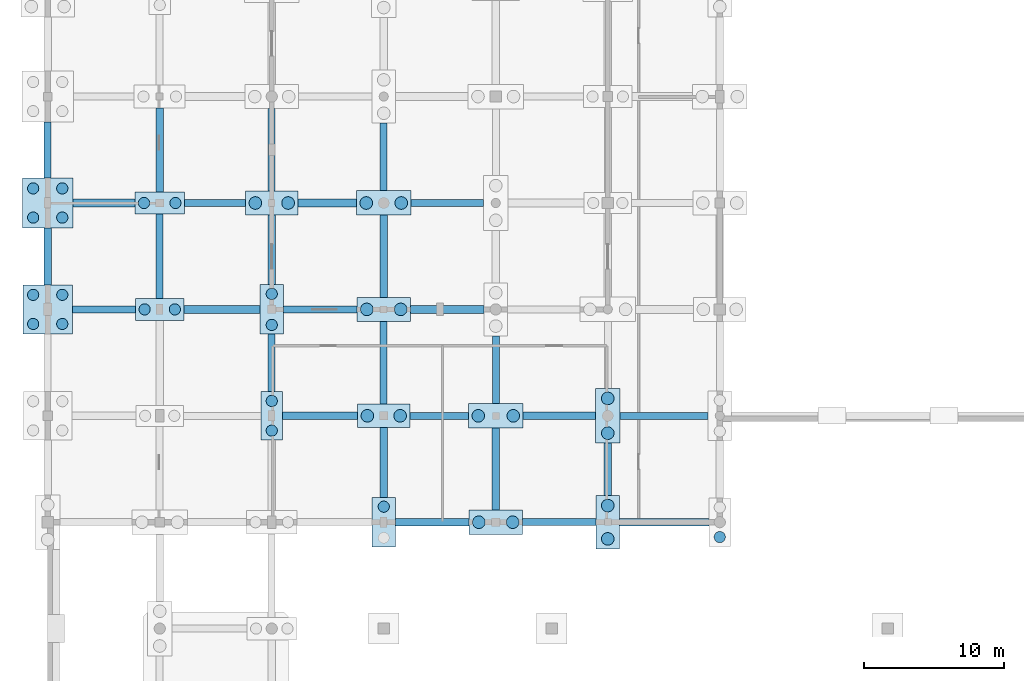
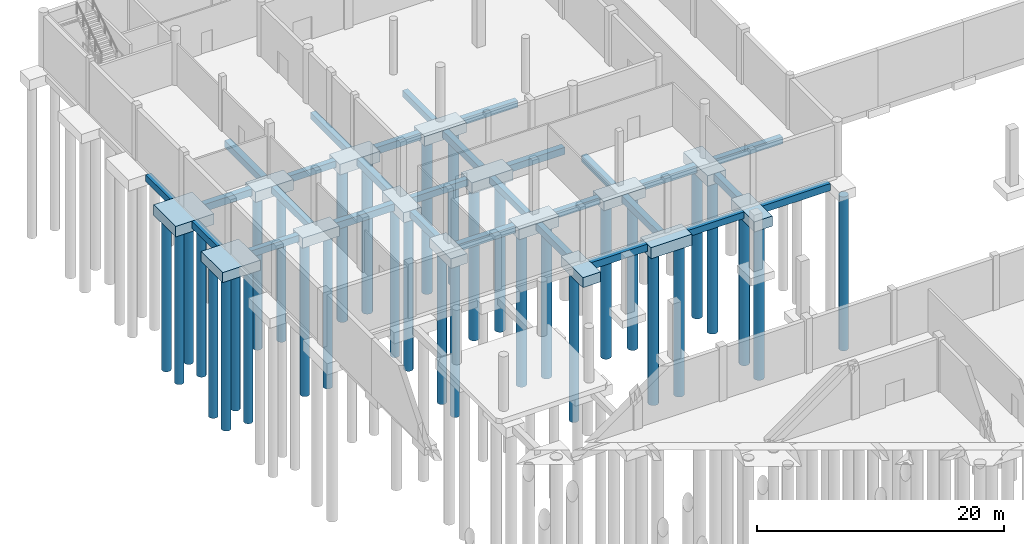
# One storey, part 8 of 44: 44 footings, 34 piles.
"""IFC4 building model written with IfcOpenShell, lengths in metres."""

from ifc_helpers import new_model, si_unit, direction, frame, origin, origin_2d, place, context, subcontext, project, spatial, polyline, circle, outline, extrude, material, material_profile, profile_set, type_object, element, save


model = new_model("IFC4")

# Units and contexts
model_context = context("Model", 3, precision=1e-05, world=origin(), true_north=direction((0.0, 1.0)))
body_context = subcontext(model_context, "Body", "Model", "MODEL_VIEW")
ifc_project = project(units=[si_unit("LENGTHUNIT", "METRE"), si_unit("AREAUNIT", "SQUARE_METRE"), si_unit("VOLUMEUNIT", "CUBIC_METRE"), si_unit("PLANEANGLEUNIT", "RADIAN"), si_unit("MASSUNIT", "GRAM", prefix="KILO")], contexts=[model_context])

# Site, building, storey
site_placement = place(None, origin())
site = spatial("IfcSite", under=ifc_project, at=site_placement, CompositionType="ELEMENT")
building_placement = place(site_placement, origin())
building = spatial("IfcBuilding", under=site, at=building_placement, Name="Khelvaren Railside Concert Hall", CompositionType="ELEMENT")
storey_placement = place(building_placement, frame((0.0, 0.0, -5.39990234375)))
storey = spatial("IfcBuildingStorey", under=building, at=storey_placement, Name="B1", CompositionType="ELEMENT", Elevation=-5.39990234375)

# Piles
ifc_material = material(Name="Concrete C35/45", Category="concrete")
ifc_material_profile_1 = material_profile(ifc_material, circle(Radius=0.449951171875, at=origin_2d()), Name="BP D900")
ifc_profile_set_1 = profile_set([ifc_material_profile_1], Name="Concrete C35/45")
pile_type_1 = type_object("IfcPileType", Name="BP51", PredefinedType="BORED", material=ifc_profile_set_1)
for number, where, z_axis, x_axis, name in (
    (1, (14.830078125, 91.199951171875, -1.4501953125), (0.0, 0.0, -1.0), (1.0, 0.0, 0.0), "Bored Pile BP51 PC-V4-042-1"),
    (2, (17.169921875, 91.199951171875, -1.4501953125), (0.0, 0.0, -1.0), (1.0, 0.0, 0.0), "Bored Pile BP51 PC-V4-042-2"),
    (3, (22.830078125, 76.0, -1.4501953125), (0.0, 0.0, -1.0), (1.0, 0.0, 0.0), "Bored Pile BP51 PC-V4-054-1"),
    (4, (25.169921875, 76.0, -1.4501953125), (0.0, 0.0, -1.0), (1.0, 0.0, 0.0), "Bored Pile BP51 PC-V4-054-2"),
):
    element("IfcPile", number, at=place(storey_placement, frame(where, z_axis=z_axis, x_axis=x_axis)), inside=storey, type_object=pile_type_1, Name=name, PredefinedType="BORED", context=body_context, shape_type="SweptSolid", body=[
        extrude(circle(Radius=0.449951171875, at=origin_2d()), origin(), (0.0, 0.0, 1.0), 15.14990234375),
    ])
for number, where, z_axis, x_axis, name in (
    (5, (22.7900390625, 83.60009765625, -1.5), (0.0, 0.0, -1.0), (1.0, 0.0, 0.0), "Bored Pile BP51 PC-V4-055-1"),
    (6, (25.2099609375, 83.60009765625, -1.5), (0.0, 0.0, -1.0), (1.0, 0.0, 0.0), "Bored Pile BP51 PC-V4-055-2"),
):
    element("IfcPile", number, at=place(storey_placement, frame(where, z_axis=z_axis, x_axis=x_axis)), inside=storey, type_object=pile_type_1, Name=name, PredefinedType="BORED", context=body_context, shape_type="SweptSolid", body=[
        extrude(circle(Radius=0.449951171875, at=origin_2d()), origin(), (0.0, 0.0, 1.0), 15.10009765625),
    ])
for number, where, z_axis, x_axis, name in (
    (7, (22.75, 91.199951171875, -1.35009765625), (0.0, 0.0, -1.0), (1.0, 0.0, 0.0), "Bored Pile BP51 PC-V4-056-1"),
    (8, (25.25, 91.199951171875, -1.35009765625), (0.0, 0.0, -1.0), (1.0, 0.0, 0.0), "Bored Pile BP51 PC-V4-056-2"),
):
    element("IfcPile", number, at=place(storey_placement, frame(where, z_axis=z_axis, x_axis=x_axis)), inside=storey, type_object=pile_type_1, Name=name, PredefinedType="BORED", context=body_context, shape_type="SweptSolid", body=[
        extrude(circle(Radius=0.449951171875, at=origin_2d()), origin(), (0.0, 0.0, 1.0), 15.25),
    ])
for number, where, z_axis, x_axis, name in (
    (9, (30.7900390625, 68.39990234375, -1.5), (0.0, 0.0, -1.0), (1.0, 0.0, 0.0), "Bored Pile BP51 PC-V4-067-1"),
    (10, (33.2099609375, 68.39990234375, -1.5), (0.0, 0.0, -1.0), (1.0, 0.0, 0.0), "Bored Pile BP51 PC-V4-067-2"),
):
    element("IfcPile", number, at=place(storey_placement, frame(where, z_axis=z_axis, x_axis=x_axis)), inside=storey, type_object=pile_type_1, Name=name, PredefinedType="BORED", context=body_context, shape_type="SweptSolid", body=[
        extrude(circle(Radius=0.449951171875, at=origin_2d()), origin(), (0.0, 0.0, 1.0), 15.10009765625),
    ])
for number, where, z_axis, x_axis, name in (
    (11, (30.75, 76.0, -1.35009765625), (0.0, 0.0, -1.0), (1.0, 0.0, 0.0), "Bored Pile BP51 PC-V4-068-1"),
    (12, (33.25, 76.0, -1.35009765625), (0.0, 0.0, -1.0), (1.0, 0.0, 0.0), "Bored Pile BP51 PC-V4-068-2"),
):
    element("IfcPile", number, at=place(storey_placement, frame(where, z_axis=z_axis, x_axis=x_axis)), inside=storey, type_object=pile_type_1, Name=name, PredefinedType="BORED", context=body_context, shape_type="SweptSolid", body=[
        extrude(circle(Radius=0.449951171875, at=origin_2d()), origin(), (0.0, 0.0, 1.0), 15.25),
    ])
for number, where, z_axis, x_axis, name in (
    (13, (40.0, 67.2099609375, -1.400146484375), (0.0, 0.0, -1.0), (1.0, 0.0, 0.0), "Bored Pile BP51 PC-V4-081-1"),
    (14, (40.0, 69.590087890625, -1.400146484375), (0.0, 0.0, -1.0), (1.0, 0.0, 0.0), "Bored Pile BP51 PC-V4-081-2"),
):
    element("IfcPile", number, at=place(storey_placement, frame(where, z_axis=z_axis, x_axis=x_axis)), inside=storey, type_object=pile_type_1, Name=name, PredefinedType="BORED", context=body_context, shape_type="SweptSolid", body=[
        extrude(circle(Radius=0.449951171875, at=origin_2d()), origin(), (0.0, 0.0, 1.0), 15.199951171875),
    ])
for number, where, z_axis, x_axis, name in (
    (15, (40.0, 74.760009765625, -1.4501953125), (0.0, 0.0, -1.0), (1.0, 0.0, 0.0), "Bored Pile BP51 PC-V4-082-1"),
    (16, (40.0, 77.239990234375, -1.4501953125), (0.0, 0.0, -1.0), (1.0, 0.0, 0.0), "Bored Pile BP51 PC-V4-082-2"),
):
    element("IfcPile", number, at=place(storey_placement, frame(where, z_axis=z_axis, x_axis=x_axis)), inside=storey, type_object=pile_type_1, Name=name, PredefinedType="BORED", context=body_context, shape_type="SweptSolid", body=[
        extrude(circle(Radius=0.449951171875, at=origin_2d()), origin(), (0.0, 0.0, 1.0), 15.14990234375),
    ])
ifc_material_profile_2 = material_profile(ifc_material, circle(Radius=0.39990234375, at=origin_2d()), Name="BP D800")
ifc_profile_set_2 = profile_set([ifc_material_profile_2], Name="Concrete C35/45")
pile_type_2 = type_object("IfcPileType", Name="BP84", PredefinedType="BORED", material=ifc_profile_set_2)
for number, where, z_axis, x_axis, name in (
    (17, (-1.0400390625, 82.56005859375, -1.400146484375), (0.0, 0.0, -1.0), (1.0, 0.0, 0.0), "Bored Pile BP84 PC-V4-009-1"),
    (18, (1.0400390625, 82.56005859375, -1.400146484375), (0.0, 0.0, -1.0), (1.0, 0.0, 0.0), "Bored Pile BP84 PC-V4-009-2"),
    (19, (-1.0400390625, 84.639892578125, -1.400146484375), (0.0, 0.0, -1.0), (1.0, 0.0, 0.0), "Bored Pile BP84 PC-V4-009-3"),
    (20, (1.0400390625, 84.639892578125, -1.400146484375), (0.0, 0.0, -1.0), (1.0, 0.0, 0.0), "Bored Pile BP84 PC-V4-009-4"),
):
    element("IfcPile", number, at=place(storey_placement, frame(where, z_axis=z_axis, x_axis=x_axis)), inside=storey, type_object=pile_type_2, Name=name, PredefinedType="BORED", context=body_context, shape_type="SweptSolid", body=[
        extrude(circle(Radius=0.39990234375, at=origin_2d()), origin(), (0.0, 0.0, 1.0), 15.199951171875),
    ])
for number, where, z_axis, x_axis, name in (
    (21, (-1.0400390625, 90.159912109375, -1.4501953125), (0.0, 0.0, -1.0), (1.0, 0.0, 0.0), "Bored Pile BP84 PC-V4-010-1"),
    (22, (1.0400390625, 90.159912109375, -1.4501953125), (0.0, 0.0, -1.0), (1.0, 0.0, 0.0), "Bored Pile BP84 PC-V4-010-2"),
    (23, (-1.0400390625, 92.239990234375, -1.4501953125), (0.0, 0.0, -1.0), (1.0, 0.0, 0.0), "Bored Pile BP84 PC-V4-010-3"),
    (24, (1.0400390625, 92.239990234375, -1.4501953125), (0.0, 0.0, -1.0), (1.0, 0.0, 0.0), "Bored Pile BP84 PC-V4-010-4"),
):
    element("IfcPile", number, at=place(storey_placement, frame(where, z_axis=z_axis, x_axis=x_axis)), inside=storey, type_object=pile_type_2, Name=name, PredefinedType="BORED", context=body_context, shape_type="SweptSolid", body=[
        extrude(circle(Radius=0.39990234375, at=origin_2d()), origin(), (0.0, 0.0, 1.0), 15.14990234375),
    ])
for number, where, z_axis, x_axis, name in (
    (25, (6.919921875, 83.60009765625, -1.400146484375), (0.0, 0.0, -1.0), (1.0, 0.0, 0.0), "Bored Pile BP84 PC-V4-025-1"),
    (26, (9.080078125, 83.60009765625, -1.400146484375), (0.0, 0.0, -1.0), (1.0, 0.0, 0.0), "Bored Pile BP84 PC-V4-025-2"),
):
    element("IfcPile", number, at=place(storey_placement, frame(where, z_axis=z_axis, x_axis=x_axis)), inside=storey, type_object=pile_type_2, Name=name, PredefinedType="BORED", context=body_context, shape_type="SweptSolid", body=[
        extrude(circle(Radius=0.39990234375, at=origin_2d()), origin(), (0.0, 0.0, 1.0), 15.199951171875),
    ])
for number, where, z_axis, x_axis, name in (
    (27, (6.8798828125, 91.199951171875, -1.4501953125), (0.0, 0.0, -1.0), (1.0, 0.0, 0.0), "Bored Pile BP84 PC-V4-026-1"),
    (28, (9.1201171875, 91.199951171875, -1.4501953125), (0.0, 0.0, -1.0), (1.0, 0.0, 0.0), "Bored Pile BP84 PC-V4-026-2"),
):
    element("IfcPile", number, at=place(storey_placement, frame(where, z_axis=z_axis, x_axis=x_axis)), inside=storey, type_object=pile_type_2, Name=name, PredefinedType="BORED", context=body_context, shape_type="SweptSolid", body=[
        extrude(circle(Radius=0.39990234375, at=origin_2d()), origin(), (0.0, 0.0, 1.0), 15.14990234375),
    ])
for number, where, z_axis, x_axis, name in (
    (29, (16.0, 74.93994140625, -1.35009765625), (0.0, 0.0, -1.0), (1.0, 0.0, 0.0), "Bored Pile BP84 PC-V4-040-1"),
    (30, (16.0, 77.06005859375, -1.35009765625), (0.0, 0.0, -1.0), (1.0, 0.0, 0.0), "Bored Pile BP84 PC-V4-040-2"),
):
    element("IfcPile", number, at=place(storey_placement, frame(where, z_axis=z_axis, x_axis=x_axis)), inside=storey, type_object=pile_type_2, Name=name, PredefinedType="BORED", context=body_context, shape_type="SweptSolid", body=[
        extrude(circle(Radius=0.39990234375, at=origin_2d()), origin(), (0.0, 0.0, 1.0), 15.25),
    ])
for number, where, z_axis, x_axis, name in (
    (31, (16.0, 82.489990234375, -1.400146484375), (0.0, 0.0, -1.0), (1.0, 0.0, 0.0), "Bored Pile BP84 PC-V4-041-1"),
    (32, (16.0, 84.7099609375, -1.400146484375), (0.0, 0.0, -1.0), (1.0, 0.0, 0.0), "Bored Pile BP84 PC-V4-041-2"),
    (33, (24.0, 69.510009765625, -1.400146484375), (0.0, 0.0, -1.0), (1.0, 0.0, 0.0), "Bored Pile BP84 PC-V4-053-2"),
):
    element("IfcPile", number, at=place(storey_placement, frame(where, z_axis=z_axis, x_axis=x_axis)), inside=storey, type_object=pile_type_2, Name=name, PredefinedType="BORED", context=body_context, shape_type="SweptSolid", body=[
        extrude(circle(Radius=0.39990234375, at=origin_2d()), origin(), (0.0, 0.0, 1.0), 15.199951171875),
    ])
pile_placement = place(storey_placement, frame((48.0, 67.340087890625, -1.35009765625), z_axis=(0.0, 0.0, -1.0), x_axis=(1.0, 0.0, 0.0)))
element("IfcPile", 34, at=pile_placement, inside=storey, type_object=pile_type_2, Name="Bored Pile BP84 PC-V4-088-1", PredefinedType="BORED", context=body_context, shape_type="SweptSolid", body=[
    extrude(circle(Radius=0.39990234375, at=origin_2d()), origin(), (0.0, 0.0, 1.0), 15.25),
])

# Footings
footing_type_1 = type_object("IfcFootingType", Name="GB49", PredefinedType="FOOTING_BEAM", material=ifc_material)
footing_1_placement = place(storey_placement, frame((0.0, 0.0, -1.150146484375)))
element("IfcFooting", 35, at=footing_1_placement, inside=storey, type_object=footing_type_1, Name="Ground Tie Beam GB49 133", PredefinedType="FOOTING_BEAM", context=body_context, shape_type="SweptSolid", body=[
    extrude(outline(polyline([(33.919921875, 68.14990234375), (39.14990234375, 68.14990234375), (39.14990234375, 68.64990234375), (33.919921875, 68.64990234375), (33.919921875, 68.14990234375)])), origin(), (0.0, 0.0, 1.0), 0.650146484375),
])
footing_2_placement = place(storey_placement, frame((0.0, 0.0, -1.150146484375)))
element("IfcFooting", 36, at=footing_2_placement, inside=storey, type_object=footing_type_1, Name="Ground Tie Beam GB49 139", PredefinedType="FOOTING_BEAM", context=body_context, shape_type="SweptSolid", body=[
    extrude(outline(polyline([(25.8798828125, 75.75), (30.0400390625, 75.75), (30.0400390625, 76.25), (25.8798828125, 76.25), (25.8798828125, 75.75)])), origin(), (0.0, 0.0, 1.0), 0.650146484375),
])
footing_3_placement = place(storey_placement, frame((0.0, 0.0, -1.150146484375)))
element("IfcFooting", 37, at=footing_3_placement, inside=storey, type_object=footing_type_1, Name="Ground Tie Beam GB49 141", PredefinedType="FOOTING_BEAM", context=body_context, shape_type="SweptSolid", body=[
    extrude(outline(polyline([(40.875, 75.75), (47.175048828125, 75.75), (47.175048828125, 76.25), (40.875, 76.25), (40.875, 75.75)])), origin(), (0.0, 0.0, 1.0), 0.650146484375),
])
footing_4_placement = place(storey_placement, frame((0.0, 0.0, -1.150146484375)))
element("IfcFooting", 38, at=footing_4_placement, inside=storey, type_object=footing_type_1, Name="Ground Tie Beam GB49 143", PredefinedType="FOOTING_BEAM", context=body_context, shape_type="SweptSolid", body=[
    extrude(outline(polyline([(1.760009765625, 83.35009765625), (6.260009765625, 83.35009765625), (6.260009765625, 83.85009765625), (1.760009765625, 83.85009765625), (1.760009765625, 83.35009765625)])), origin(), (0.0, 0.0, 1.0), 0.650146484375),
])
footing_5_placement = place(storey_placement, frame((0.0, 0.0, -1.150146484375)))
element("IfcFooting", 39, at=footing_5_placement, inside=storey, type_object=footing_type_1, Name="Ground Tie Beam GB49 145", PredefinedType="FOOTING_BEAM", context=body_context, shape_type="SweptSolid", body=[
    extrude(outline(polyline([(16.824951171875, 83.35009765625), (22.080078125, 83.35009765625), (22.080078125, 83.85009765625), (16.824951171875, 83.85009765625), (16.824951171875, 83.35009765625)])), origin(), (0.0, 0.0, 1.0), 0.650146484375),
])
footing_6_placement = place(storey_placement, frame((0.0, 0.0, -1.150146484375)))
element("IfcFooting", 40, at=footing_6_placement, inside=storey, type_object=footing_type_1, Name="Ground Tie Beam GB49 157", PredefinedType="FOOTING_BEAM", context=body_context, shape_type="SweptSolid", body=[
    extrude(outline(polyline([(9.780029296875, 90.949951171875), (14.1201171875, 90.949951171875), (14.1201171875, 91.449951171875), (9.780029296875, 91.449951171875), (9.780029296875, 90.949951171875)])), origin(), (0.0, 0.0, 1.0), 0.650146484375),
])
footing_7_placement = place(storey_placement, frame((0.0, 0.0, -1.150146484375)))
element("IfcFooting", 41, at=footing_7_placement, inside=storey, type_object=footing_type_1, Name="Ground Tie Beam GB49 159", PredefinedType="FOOTING_BEAM", context=body_context, shape_type="SweptSolid", body=[
    extrude(outline(polyline([(25.9599609375, 90.949951171875), (31.125, 90.949951171875), (31.125, 91.449951171875), (25.9599609375, 91.449951171875), (25.9599609375, 90.949951171875)])), origin(), (0.0, 0.0, 1.0), 0.650146484375),
])
footing_8_placement = place(storey_placement, frame((0.0, 0.0, -1.150146484375)))
element("IfcFooting", 42, at=footing_8_placement, inside=storey, type_object=footing_type_1, Name="Ground Tie Beam GB49 217", PredefinedType="FOOTING_BEAM", context=body_context, shape_type="SweptSolid", body=[
    extrude(outline(polyline([(-0.25, 92.97998046875), (0.25, 92.97998046875), (0.25, 96.97998046875), (-0.25, 96.97998046875), (-0.25, 92.97998046875)])), origin(), (0.0, 0.0, 1.0), 0.650146484375),
])
footing_9_placement = place(storey_placement, frame((0.0, 0.0, -1.150146484375)))
element("IfcFooting", 43, at=footing_9_placement, inside=storey, type_object=footing_type_1, Name="Ground Tie Beam GB49 231", PredefinedType="FOOTING_BEAM", context=body_context, shape_type="SweptSolid", body=[
    extrude(outline(polyline([(7.75, 84.375), (8.25, 84.375), (8.25, 90.39990234375), (7.75, 90.39990234375), (7.75, 84.375)])), origin(), (0.0, 0.0, 1.0), 0.650146484375),
])
footing_10_placement = place(storey_placement, frame((0.0, 0.0, -1.150146484375)))
element("IfcFooting", 44, at=footing_10_placement, inside=storey, type_object=footing_type_1, Name="Ground Tie Beam GB49 245", PredefinedType="FOOTING_BEAM", context=body_context, shape_type="SweptSolid", body=[
    extrude(outline(polyline([(15.75, 77.719970703125), (16.25, 77.719970703125), (16.25, 81.830078125), (15.75, 81.830078125), (15.75, 77.719970703125)])), origin(), (0.0, 0.0, 1.0), 0.650146484375),
])
footing_11_placement = place(storey_placement, frame((0.0, 0.0, -1.150146484375)))
element("IfcFooting", 45, at=footing_11_placement, inside=storey, type_object=footing_type_1, Name="Ground Tie Beam GB49 247", PredefinedType="FOOTING_BEAM", context=body_context, shape_type="SweptSolid", body=[
    extrude(outline(polyline([(15.75, 92.050048828125), (16.25, 92.050048828125), (16.25, 97.93994140625), (15.75, 97.93994140625), (15.75, 92.050048828125)])), origin(), (0.0, 0.0, 1.0), 0.650146484375),
])
footing_12_placement = place(storey_placement, frame((0.0, 0.0, -1.150146484375)))
element("IfcFooting", 46, at=footing_12_placement, inside=storey, type_object=footing_type_1, Name="Ground Tie Beam GB49 257", PredefinedType="FOOTING_BEAM", context=body_context, shape_type="SweptSolid", body=[
    extrude(outline(polyline([(23.75, 76.85009765625), (24.25, 76.85009765625), (24.25, 82.739990234375), (23.75, 82.739990234375), (23.75, 76.85009765625)])), origin(), (0.0, 0.0, 1.0), 0.650146484375),
])
footing_13_placement = place(storey_placement, frame((0.0, 0.0, -1.150146484375)))
element("IfcFooting", 47, at=footing_13_placement, inside=storey, type_object=footing_type_1, Name="Ground Tie Beam GB49 259", PredefinedType="FOOTING_BEAM", context=body_context, shape_type="SweptSolid", body=[
    extrude(outline(polyline([(23.75, 92.074951171875), (24.25, 92.074951171875), (24.25, 96.89990234375), (23.75, 96.89990234375), (23.75, 92.074951171875)])), origin(), (0.0, 0.0, 1.0), 0.650146484375),
])
footing_14_placement = place(storey_placement, frame((0.0, 0.0, -1.150146484375)))
element("IfcFooting", 48, at=footing_14_placement, inside=storey, type_object=footing_type_1, Name="Ground Tie Beam GB49 269", PredefinedType="FOOTING_BEAM", context=body_context, shape_type="SweptSolid", body=[
    extrude(outline(polyline([(31.75, 76.875), (32.25, 76.875), (32.25, 81.699951171875), (31.75, 81.699951171875), (31.75, 76.875)])), origin(), (0.0, 0.0, 1.0), 0.650146484375),
])
footing_type_2 = type_object("IfcFootingType", Name="GB57", PredefinedType="FOOTING_BEAM", material=ifc_material)
footing_15_placement = place(storey_placement, frame((0.0, 0.0, -1.2001953125)))
element("IfcFooting", 49, at=footing_15_placement, inside=storey, type_object=footing_type_2, Name="Ground Tie Beam GB57 132", PredefinedType="FOOTING_BEAM", context=body_context, shape_type="SweptSolid", body=[
    extrude(outline(polyline([(24.824951171875, 68.125), (30.080078125, 68.125), (30.080078125, 68.675048828125), (24.824951171875, 68.675048828125), (24.824951171875, 68.125)])), origin(), (0.0, 0.0, 1.0), 0.7001953125),
])
footing_16_placement = place(storey_placement, frame((0.0, 0.0, -1.2001953125)))
element("IfcFooting", 50, at=footing_16_placement, inside=storey, type_object=footing_type_2, Name="Ground Tie Beam GB57 134", PredefinedType="FOOTING_BEAM", context=body_context, shape_type="SweptSolid", body=[
    extrude(outline(polyline([(40.85009765625, 68.125), (47.22509765625, 68.125), (47.22509765625, 68.675048828125), (40.85009765625, 68.675048828125), (40.85009765625, 68.125)])), origin(), (0.0, 0.0, 1.0), 0.7001953125),
])
footing_17_placement = place(storey_placement, frame((0.0, 0.0, -1.2001953125)))
element("IfcFooting", 51, at=footing_17_placement, inside=storey, type_object=footing_type_2, Name="Ground Tie Beam GB57 138", PredefinedType="FOOTING_BEAM", context=body_context, shape_type="SweptSolid", body=[
    extrude(outline(polyline([(16.77490234375, 75.72509765625), (22.1201171875, 75.72509765625), (22.1201171875, 76.27490234375), (16.77490234375, 76.27490234375), (16.77490234375, 75.72509765625)])), origin(), (0.0, 0.0, 1.0), 0.7001953125),
])
footing_18_placement = place(storey_placement, frame((0.0, 0.0, -1.2001953125)))
element("IfcFooting", 52, at=footing_18_placement, inside=storey, type_object=footing_type_2, Name="Ground Tie Beam GB57 140", PredefinedType="FOOTING_BEAM", context=body_context, shape_type="SweptSolid", body=[
    extrude(outline(polyline([(33.9599609375, 75.72509765625), (39.125, 75.72509765625), (39.125, 76.27490234375), (33.9599609375, 76.27490234375), (33.9599609375, 75.72509765625)])), origin(), (0.0, 0.0, 1.0), 0.7001953125),
])
footing_19_placement = place(storey_placement, frame((0.0, 0.0, -1.2001953125)))
element("IfcFooting", 53, at=footing_19_placement, inside=storey, type_object=footing_type_2, Name="Ground Tie Beam GB57 144", PredefinedType="FOOTING_BEAM", context=body_context, shape_type="SweptSolid", body=[
    extrude(outline(polyline([(9.739990234375, 83.324951171875), (15.175048828125, 83.324951171875), (15.175048828125, 83.875), (9.739990234375, 83.875), (9.739990234375, 83.324951171875)])), origin(), (0.0, 0.0, 1.0), 0.7001953125),
])
footing_20_placement = place(storey_placement, frame((0.0, 0.0, -1.2001953125)))
element("IfcFooting", 54, at=footing_20_placement, inside=storey, type_object=footing_type_2, Name="Ground Tie Beam GB57 146", PredefinedType="FOOTING_BEAM", context=body_context, shape_type="SweptSolid", body=[
    extrude(outline(polyline([(25.919921875, 83.324951171875), (31.14990234375, 83.324951171875), (31.14990234375, 83.875), (25.919921875, 83.875), (25.919921875, 83.324951171875)])), origin(), (0.0, 0.0, 1.0), 0.7001953125),
])
footing_21_placement = place(storey_placement, frame((0.0, 0.0, -1.2001953125)))
element("IfcFooting", 55, at=footing_21_placement, inside=storey, type_object=footing_type_2, Name="Ground Tie Beam GB57 156", PredefinedType="FOOTING_BEAM", context=body_context, shape_type="SweptSolid", body=[
    extrude(outline(polyline([(1.800048828125, 90.925048828125), (6.219970703125, 90.925048828125), (6.219970703125, 91.47509765625), (1.800048828125, 91.47509765625), (1.800048828125, 90.925048828125)])), origin(), (0.0, 0.0, 1.0), 0.7001953125),
])
footing_22_placement = place(storey_placement, frame((0.0, 0.0, -1.2001953125)))
element("IfcFooting", 56, at=footing_22_placement, inside=storey, type_object=footing_type_2, Name="Ground Tie Beam GB57 158", PredefinedType="FOOTING_BEAM", context=body_context, shape_type="SweptSolid", body=[
    extrude(outline(polyline([(17.8798828125, 90.925048828125), (22.0400390625, 90.925048828125), (22.0400390625, 91.47509765625), (17.8798828125, 91.47509765625), (17.8798828125, 90.925048828125)])), origin(), (0.0, 0.0, 1.0), 0.7001953125),
])
footing_23_placement = place(storey_placement, frame((0.0, 0.0, -1.2001953125)))
element("IfcFooting", 57, at=footing_23_placement, inside=storey, type_object=footing_type_2, Name="Ground Tie Beam GB57 216", PredefinedType="FOOTING_BEAM", context=body_context, shape_type="SweptSolid", body=[
    extrude(outline(polyline([(-0.27490234375, 85.340087890625), (0.27490234375, 85.340087890625), (0.27490234375, 89.419921875), (-0.27490234375, 89.419921875), (-0.27490234375, 85.340087890625)])), origin(), (0.0, 0.0, 1.0), 0.7001953125),
])
footing_24_placement = place(storey_placement, frame((0.0, 0.0, -1.2001953125)))
element("IfcFooting", 58, at=footing_24_placement, inside=storey, type_object=footing_type_2, Name="Ground Tie Beam GB57 232", PredefinedType="FOOTING_BEAM", context=body_context, shape_type="SweptSolid", body=[
    extrude(outline(polyline([(7.72509765625, 92.0), (8.27490234375, 92.0), (8.27490234375, 97.97509765625), (7.72509765625, 97.97509765625), (7.72509765625, 92.0)])), origin(), (0.0, 0.0, 1.0), 0.7001953125),
])
footing_25_placement = place(storey_placement, frame((0.0, 0.0, -1.2001953125)))
element("IfcFooting", 59, at=footing_25_placement, inside=storey, type_object=footing_type_2, Name="Ground Tie Beam GB57 246", PredefinedType="FOOTING_BEAM", context=body_context, shape_type="SweptSolid", body=[
    extrude(outline(polyline([(15.72509765625, 85.3701171875), (16.27490234375, 85.3701171875), (16.27490234375, 90.35009765625), (15.72509765625, 90.35009765625), (15.72509765625, 85.3701171875)])), origin(), (0.0, 0.0, 1.0), 0.7001953125),
])
footing_26_placement = place(storey_placement, frame((0.0, 0.0, -1.2001953125)))
element("IfcFooting", 60, at=footing_26_placement, inside=storey, type_object=footing_type_2, Name="Ground Tie Beam GB57 256", PredefinedType="FOOTING_BEAM", context=body_context, shape_type="SweptSolid", body=[
    extrude(outline(polyline([(23.72509765625, 70.169921875), (24.27490234375, 70.169921875), (24.27490234375, 75.14990234375), (23.72509765625, 75.14990234375), (23.72509765625, 70.169921875)])), origin(), (0.0, 0.0, 1.0), 0.7001953125),
])
footing_27_placement = place(storey_placement, frame((0.0, 0.0, -1.2001953125)))
element("IfcFooting", 61, at=footing_27_placement, inside=storey, type_object=footing_type_2, Name="Ground Tie Beam GB57 258", PredefinedType="FOOTING_BEAM", context=body_context, shape_type="SweptSolid", body=[
    extrude(outline(polyline([(23.72509765625, 84.4599609375), (24.27490234375, 84.4599609375), (24.27490234375, 90.324951171875), (23.72509765625, 90.324951171875), (23.72509765625, 84.4599609375)])), origin(), (0.0, 0.0, 1.0), 0.7001953125),
])
footing_28_placement = place(storey_placement, frame((0.0, 0.0, -1.2001953125)))
element("IfcFooting", 62, at=footing_28_placement, inside=storey, type_object=footing_type_2, Name="Ground Tie Beam GB57 268", PredefinedType="FOOTING_BEAM", context=body_context, shape_type="SweptSolid", body=[
    extrude(outline(polyline([(31.72509765625, 69.260009765625), (32.27490234375, 69.260009765625), (32.27490234375, 75.125), (31.72509765625, 75.125), (31.72509765625, 69.260009765625)])), origin(), (0.0, 0.0, 1.0), 0.7001953125),
])
footing_29_placement = place(storey_placement, frame((0.0, 0.0, -1.2001953125)))
element("IfcFooting", 63, at=footing_29_placement, inside=storey, type_object=footing_type_2, Name="Ground Tie Beam GB57 280", PredefinedType="FOOTING_BEAM", context=body_context, shape_type="SweptSolid", body=[
    extrude(outline(polyline([(39.72509765625, 70.300048828125), (40.27490234375, 70.300048828125), (40.27490234375, 74.050048828125), (39.72509765625, 74.050048828125), (39.72509765625, 70.300048828125)])), origin(), (0.0, 0.0, 1.0), 0.7001953125),
])
footing_type_3 = type_object("IfcFootingType", Name="PC23", PredefinedType="PILE_CAP", material=ifc_material)
footing_30_placement = place(storey_placement, frame((0.0, 0.0, -1.4501953125)))
element("IfcFooting", 64, at=footing_30_placement, inside=storey, type_object=footing_type_3, Name="Pile Cap PC23 (24.0,91.2)", PredefinedType="PILE_CAP", context=body_context, shape_type="SweptSolid", body=[
    extrude(outline(polyline([(22.0400390625, 90.324951171875), (25.9599609375, 90.324951171875), (25.9599609375, 92.074951171875), (22.0400390625, 92.074951171875), (22.0400390625, 90.324951171875)])), origin(), (0.0, 0.0, 1.0), 0.9501953125),
])
footing_31_placement = place(storey_placement, frame((0.0, 0.0, -1.4501953125)))
element("IfcFooting", 65, at=footing_31_placement, inside=storey, type_object=footing_type_3, Name="Pile Cap PC23 (32.0,76.0)", PredefinedType="PILE_CAP", context=body_context, shape_type="SweptSolid", body=[
    extrude(outline(polyline([(30.0400390625, 75.125), (33.9599609375, 75.125), (33.9599609375, 76.875), (30.0400390625, 76.875), (30.0400390625, 75.125)])), origin(), (0.0, 0.0, 1.0), 0.9501953125),
])
footing_type_4 = type_object("IfcFootingType", Name="PC25", PredefinedType="PILE_CAP", material=ifc_material)
footing_32_placement = place(storey_placement, frame((0.0, 0.0, -1.60009765625)))
element("IfcFooting", 66, at=footing_32_placement, inside=storey, type_object=footing_type_4, Name="Pile Cap PC25 (24.0,83.6)", PredefinedType="PILE_CAP", context=body_context, shape_type="SweptSolid", body=[
    extrude(outline(polyline([(22.080078125, 82.739990234375), (25.919921875, 82.739990234375), (25.919921875, 84.4599609375), (22.080078125, 84.4599609375), (22.080078125, 82.739990234375)])), origin(), (0.0, 0.0, 1.0), 1.10009765625),
])
footing_33_placement = place(storey_placement, frame((0.0, 0.0, -1.60009765625)))
element("IfcFooting", 67, at=footing_33_placement, inside=storey, type_object=footing_type_4, Name="Pile Cap PC25 (32.0,68.4)", PredefinedType="PILE_CAP", context=body_context, shape_type="SweptSolid", body=[
    extrude(outline(polyline([(30.080078125, 67.5400390625), (33.919921875, 67.5400390625), (33.919921875, 69.260009765625), (30.080078125, 69.260009765625), (30.080078125, 67.5400390625)])), origin(), (0.0, 0.0, 1.0), 1.10009765625),
])
footing_type_5 = type_object("IfcFootingType", Name="PC41", PredefinedType="PILE_CAP", material=ifc_material)
footing_34_placement = place(storey_placement, frame((0.0, 0.0, -1.550048828125)))
element("IfcFooting", 68, at=footing_34_placement, inside=storey, type_object=footing_type_5, Name="Pile Cap PC41 (40.0,76.0)", PredefinedType="PILE_CAP", context=body_context, shape_type="SweptSolid", body=[
    extrude(outline(polyline([(39.125, 74.050048828125), (40.875, 74.050048828125), (40.875, 77.949951171875), (39.125, 77.949951171875), (39.125, 74.050048828125)])), origin(), (0.0, 0.0, 1.0), 1.050048828125),
])
footing_type_6 = type_object("IfcFootingType", Name="PC56", PredefinedType="PILE_CAP", material=ifc_material)
footing_35_placement = place(storey_placement, frame((0.0, 0.0, -1.5)))
element("IfcFooting", 69, at=footing_35_placement, inside=storey, type_object=footing_type_6, Name="Pile Cap PC56 (0.0,83.6)", PredefinedType="PILE_CAP", context=body_context, shape_type="SweptSolid", body=[
    extrude(outline(polyline([(-1.760009765625, 81.860107421875), (1.760009765625, 81.860107421875), (1.760009765625, 85.340087890625), (-1.760009765625, 85.340087890625), (-1.760009765625, 81.860107421875)])), origin(), (0.0, 0.0, 1.0), 1.0),
])
footing_type_7 = type_object("IfcFootingType", Name="PC58", PredefinedType="PILE_CAP", material=ifc_material)
footing_36_placement = place(storey_placement, frame((0.0, 0.0, -1.550048828125)))
element("IfcFooting", 70, at=footing_36_placement, inside=storey, type_object=footing_type_7, Name="Pile Cap PC58 (16.0,91.2)", PredefinedType="PILE_CAP", context=body_context, shape_type="SweptSolid", body=[
    extrude(outline(polyline([(14.1201171875, 90.35009765625), (17.8798828125, 90.35009765625), (17.8798828125, 92.050048828125), (14.1201171875, 92.050048828125), (14.1201171875, 90.35009765625)])), origin(), (0.0, 0.0, 1.0), 1.050048828125),
])
footing_37_placement = place(storey_placement, frame((0.0, 0.0, -1.550048828125)))
element("IfcFooting", 71, at=footing_37_placement, inside=storey, type_object=footing_type_7, Name="Pile Cap PC58 (24.0,76.0)", PredefinedType="PILE_CAP", context=body_context, shape_type="SweptSolid", body=[
    extrude(outline(polyline([(22.1201171875, 75.14990234375), (25.8798828125, 75.14990234375), (25.8798828125, 76.85009765625), (22.1201171875, 76.85009765625), (22.1201171875, 75.14990234375)])), origin(), (0.0, 0.0, 1.0), 1.050048828125),
])
footing_type_8 = type_object("IfcFootingType", Name="PC72", PredefinedType="PILE_CAP", material=ifc_material)
footing_38_placement = place(storey_placement, frame((0.0, 0.0, -1.5)))
element("IfcFooting", 72, at=footing_38_placement, inside=storey, type_object=footing_type_8, Name="Pile Cap PC72 (40.0,68.4)", PredefinedType="PILE_CAP", context=body_context, shape_type="SweptSolid", body=[
    extrude(outline(polyline([(39.14990234375, 66.5), (40.85009765625, 66.5), (40.85009765625, 70.300048828125), (39.14990234375, 70.300048828125), (39.14990234375, 66.5)])), origin(), (0.0, 0.0, 1.0), 1.0),
])
footing_type_9 = type_object("IfcFootingType", Name="PC86", PredefinedType="PILE_CAP", material=ifc_material)
footing_39_placement = place(storey_placement, frame((0.0, 0.0, -1.550048828125)))
element("IfcFooting", 73, at=footing_39_placement, inside=storey, type_object=footing_type_9, Name="Pile Cap PC86 (8.0,91.2)", PredefinedType="PILE_CAP", context=body_context, shape_type="SweptSolid", body=[
    extrude(outline(polyline([(6.219970703125, 90.39990234375), (9.780029296875, 90.39990234375), (9.780029296875, 92.0), (6.219970703125, 92.0), (6.219970703125, 90.39990234375)])), origin(), (0.0, 0.0, 1.0), 1.050048828125),
])
footing_type_10 = type_object("IfcFootingType", Name="PC90", PredefinedType="PILE_CAP", material=ifc_material)
footing_40_placement = place(storey_placement, frame((0.0, 0.0, -1.550048828125)))
element("IfcFooting", 74, at=footing_40_placement, inside=storey, type_object=footing_type_10, Name="Pile Cap PC90 (0.0,91.2)", PredefinedType="PILE_CAP", context=body_context, shape_type="SweptSolid", body=[
    extrude(outline(polyline([(-1.800048828125, 89.419921875), (1.800048828125, 89.419921875), (1.800048828125, 92.97998046875), (-1.800048828125, 92.97998046875), (-1.800048828125, 89.419921875)])), origin(), (0.0, 0.0, 1.0), 1.050048828125),
])
footing_type_11 = type_object("IfcFootingType", Name="PC91", PredefinedType="PILE_CAP", material=ifc_material)
footing_41_placement = place(storey_placement, frame((0.0, 0.0, -1.5)))
element("IfcFooting", 75, at=footing_41_placement, inside=storey, type_object=footing_type_11, Name="Pile Cap PC91 (16.0,83.6)", PredefinedType="PILE_CAP", context=body_context, shape_type="SweptSolid", body=[
    extrude(outline(polyline([(15.175048828125, 81.830078125), (16.824951171875, 81.830078125), (16.824951171875, 85.3701171875), (15.175048828125, 85.3701171875), (15.175048828125, 81.830078125)])), origin(), (0.0, 0.0, 1.0), 1.0),
])
footing_42_placement = place(storey_placement, frame((0.0, 0.0, -1.5)))
element("IfcFooting", 76, at=footing_42_placement, inside=storey, type_object=footing_type_11, Name="Pile Cap PC91 (24.0,68.4)", PredefinedType="PILE_CAP", context=body_context, shape_type="SweptSolid", body=[
    extrude(outline(polyline([(23.175048828125, 66.6298828125), (24.824951171875, 66.6298828125), (24.824951171875, 70.169921875), (23.175048828125, 70.169921875), (23.175048828125, 66.6298828125)])), origin(), (0.0, 0.0, 1.0), 1.0),
])
footing_type_12 = type_object("IfcFootingType", Name="PC93", PredefinedType="PILE_CAP", material=ifc_material)
footing_43_placement = place(storey_placement, frame((0.0, 0.0, -1.5)))
element("IfcFooting", 77, at=footing_43_placement, inside=storey, type_object=footing_type_12, Name="Pile Cap PC93 (8.0,83.6)", PredefinedType="PILE_CAP", context=body_context, shape_type="SweptSolid", body=[
    extrude(outline(polyline([(6.260009765625, 82.824951171875), (9.739990234375, 82.824951171875), (9.739990234375, 84.375), (6.260009765625, 84.375), (6.260009765625, 82.824951171875)])), origin(), (0.0, 0.0, 1.0), 1.0),
])
footing_type_13 = type_object("IfcFootingType", Name="PC94", PredefinedType="PILE_CAP", material=ifc_material)
footing_44_placement = place(storey_placement, frame((0.0, 0.0, -1.4501953125)))
element("IfcFooting", 78, at=footing_44_placement, inside=storey, type_object=footing_type_13, Name="Pile Cap PC94 (16.0,76.0)", PredefinedType="PILE_CAP", context=body_context, shape_type="SweptSolid", body=[
    extrude(outline(polyline([(15.22509765625, 74.280029296875), (16.77490234375, 74.280029296875), (16.77490234375, 77.719970703125), (15.22509765625, 77.719970703125), (15.22509765625, 74.280029296875)])), origin(), (0.0, 0.0, 1.0), 0.9501953125),
])

save(model, "model.ifc")
